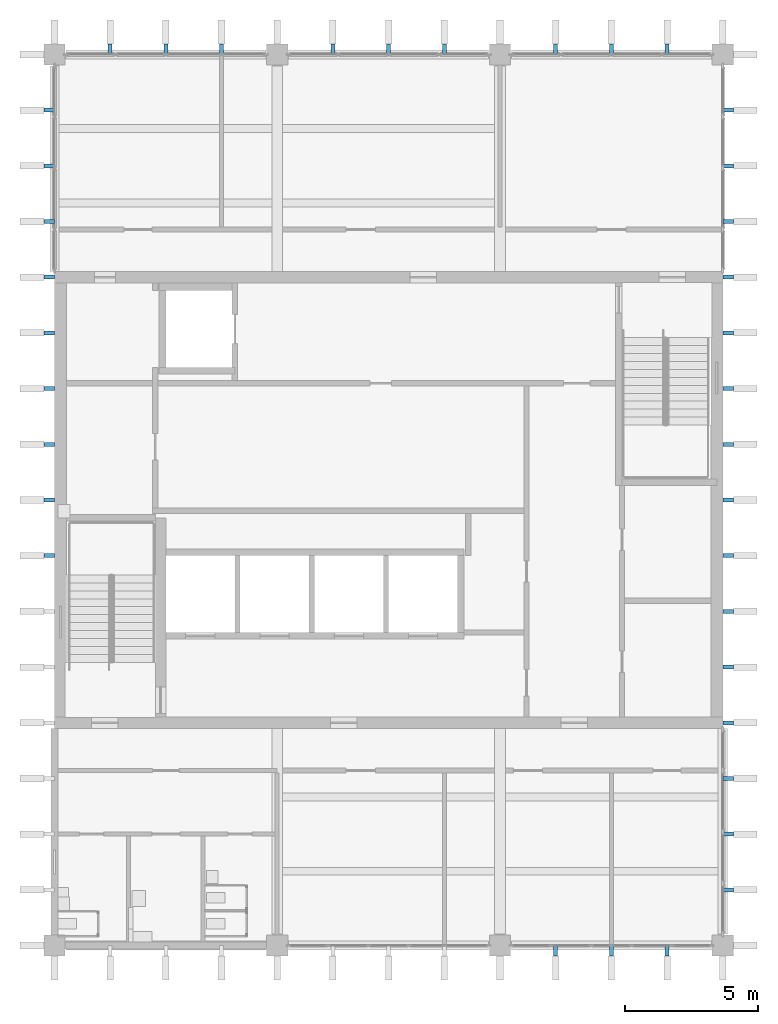
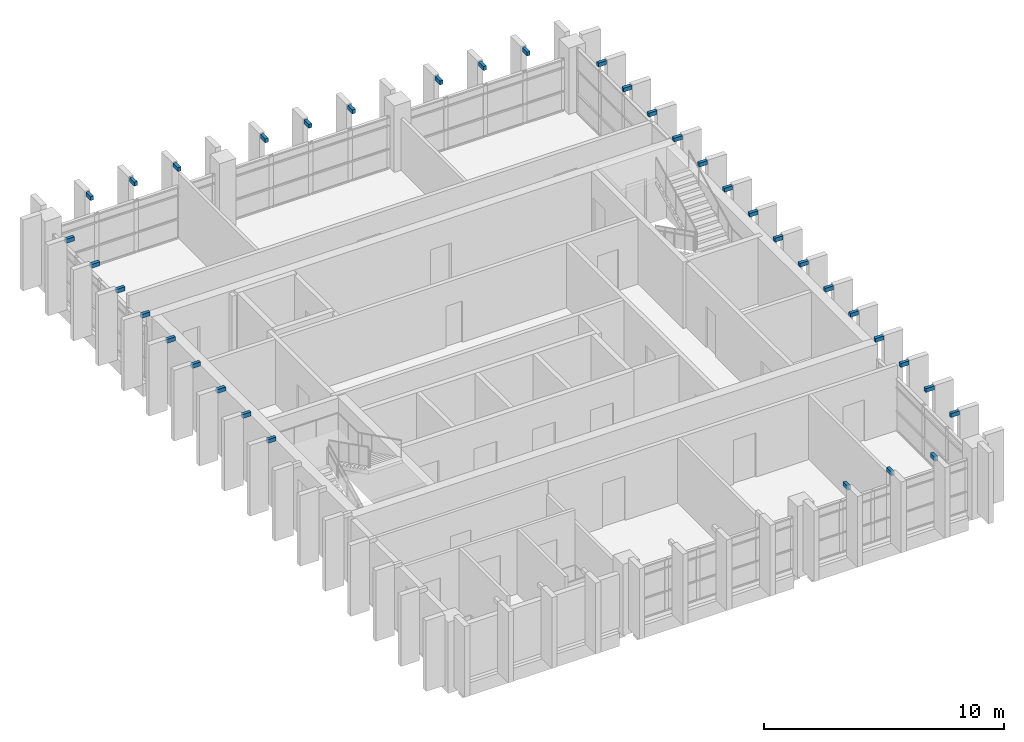
# One storey, part 9 of 11: 36 discrete accessories.
"""IFC4 building model written with IfcOpenShell, lengths in metres."""

from ifc_helpers import new_model, si_unit, direction, frame, origin, origin_2d, place, context, subcontext, project, spatial, rectangle, extrude, material, type_object, element, save


model = new_model("IFC4")

# Units and contexts
model_context = context("Model", 3, precision=1e-05, world=origin(), true_north=direction((0.0, 1.0)))
body_context = subcontext(model_context, "Body", "Model", "MODEL_VIEW")
ifc_project = project(units=[si_unit("LENGTHUNIT", "METRE"), si_unit("AREAUNIT", "SQUARE_METRE"), si_unit("VOLUMEUNIT", "CUBIC_METRE"), si_unit("PLANEANGLEUNIT", "RADIAN"), si_unit("MASSUNIT", "GRAM", prefix="KILO")], contexts=[model_context])

# Site, building, storey
site_placement = place(None, origin())
site = spatial("IfcSite", under=ifc_project, at=site_placement, CompositionType="ELEMENT")
building_placement = place(site_placement, origin())
building = spatial("IfcBuilding", under=site, at=building_placement, Name="Rulbaag Community and Learning Centre", CompositionType="ELEMENT")
storey_placement = place(building_placement, frame((0.0, 0.0, 36.0)))
storey = spatial("IfcBuildingStorey", under=building, at=storey_placement, Name="L09", CompositionType="ELEMENT", Elevation=36.0)

# Discrete accessories
ifc_material = material(Name="Steel E350", Category="steel")
discrete_accessory_type = type_object("IfcDiscreteAccessoryType", Name="BR-FN", PredefinedType="BRACKET", material=ifc_material)
for number, where, z_axis, x_axis, name in (
    (1, (161.699951171875, 83.800048828125, 3.35009765625), (0.0, 0.0, 1.0), (1.0, 0.0, 0.0), "Fin arm"),
    (2, (163.800048828125, 83.800048828125, 3.35009765625), (0.0, 0.0, 1.0), (1.0, 0.0, 0.0), "Fin arm"),
    (3, (165.89990234375, 83.800048828125, 3.35009765625), (0.0, 0.0, 1.0), (1.0, 0.0, 0.0), "Fin arm"),
    (4, (144.89990234375, 117.800048828125, 3.35009765625), (0.0, 0.0, 1.0), (1.0, 0.0, 0.0), "Fin arm"),
    (5, (147.0, 117.800048828125, 3.35009765625), (0.0, 0.0, 1.0), (1.0, 0.0, 0.0), "Fin arm"),
    (6, (149.10009765625, 117.800048828125, 3.35009765625), (0.0, 0.0, 1.0), (1.0, 0.0, 0.0), "Fin arm"),
    (7, (153.300048828125, 117.800048828125, 3.35009765625), (0.0, 0.0, 1.0), (1.0, 0.0, 0.0), "Fin arm"),
    (8, (155.39990234375, 117.800048828125, 3.35009765625), (0.0, 0.0, 1.0), (1.0, 0.0, 0.0), "Fin arm"),
    (9, (157.5, 117.800048828125, 3.35009765625), (0.0, 0.0, 1.0), (1.0, 0.0, 0.0), "Fin arm"),
    (10, (161.699951171875, 117.800048828125, 3.35009765625), (0.0, 0.0, 1.0), (1.0, 0.0, 0.0), "Fin arm"),
    (11, (163.800048828125, 117.800048828125, 3.35009765625), (0.0, 0.0, 1.0), (1.0, 0.0, 0.0), "Fin arm"),
    (12, (165.89990234375, 117.800048828125, 3.35009765625), (0.0, 0.0, 1.0), (1.0, 0.0, 0.0), "Fin arm"),
):
    element("IfcDiscreteAccessory", number, at=place(storey_placement, frame(where, z_axis=z_axis, x_axis=x_axis)), inside=storey, type_object=discrete_accessory_type, Name=name, PredefinedType="BRACKET", context=body_context, shape_type="SweptSolid", body=[
        extrude(rectangle(XDim=0.14990234375, YDim=0.39990234375, at=origin_2d()), origin(), (0.0, 0.0, 1.0), 0.199951171875),
    ])
for number, where, z_axis, x_axis, name in (
    (13, (142.60009765625, 98.699951171875, 3.35009765625), (0.0, 0.0, 1.0), (1.0, 0.0, 0.0), "Fin arm"),
    (14, (142.60009765625, 100.800048828125, 3.35009765625), (0.0, 0.0, 1.0), (1.0, 0.0, 0.0), "Fin arm"),
    (15, (142.60009765625, 102.89990234375, 3.35009765625), (0.0, 0.0, 1.0), (1.0, 0.0, 0.0), "Fin arm"),
    (16, (142.60009765625, 105.0, 3.35009765625), (0.0, 0.0, 1.0), (1.0, 0.0, 0.0), "Fin arm"),
    (17, (142.60009765625, 107.10009765625, 3.35009765625), (0.0, 0.0, 1.0), (1.0, 0.0, 0.0), "Fin arm"),
    (18, (142.60009765625, 109.199951171875, 3.35009765625), (0.0, 0.0, 1.0), (1.0, 0.0, 0.0), "Fin arm"),
    (19, (142.60009765625, 111.300048828125, 3.35009765625), (0.0, 0.0, 1.0), (1.0, 0.0, 0.0), "Fin arm"),
    (20, (142.60009765625, 113.39990234375, 3.35009765625), (0.0, 0.0, 1.0), (1.0, 0.0, 0.0), "Fin arm"),
    (21, (142.60009765625, 115.5, 3.35009765625), (0.0, 0.0, 1.0), (1.0, 0.0, 0.0), "Fin arm"),
    (22, (168.199951171875, 86.10009765625, 3.35009765625), (0.0, 0.0, 1.0), (1.0, 0.0, 0.0), "Fin arm"),
    (23, (168.199951171875, 88.199951171875, 3.35009765625), (0.0, 0.0, 1.0), (1.0, 0.0, 0.0), "Fin arm"),
    (24, (168.199951171875, 90.300048828125, 3.35009765625), (0.0, 0.0, 1.0), (1.0, 0.0, 0.0), "Fin arm"),
    (25, (168.199951171875, 92.39990234375, 3.35009765625), (0.0, 0.0, 1.0), (1.0, 0.0, 0.0), "Fin arm"),
    (26, (168.199951171875, 94.5, 3.35009765625), (0.0, 0.0, 1.0), (1.0, 0.0, 0.0), "Fin arm"),
    (27, (168.199951171875, 96.60009765625, 3.35009765625), (0.0, 0.0, 1.0), (1.0, 0.0, 0.0), "Fin arm"),
    (28, (168.199951171875, 98.699951171875, 3.35009765625), (0.0, 0.0, 1.0), (1.0, 0.0, 0.0), "Fin arm"),
    (29, (168.199951171875, 100.800048828125, 3.35009765625), (0.0, 0.0, 1.0), (1.0, 0.0, 0.0), "Fin arm"),
    (30, (168.199951171875, 102.89990234375, 3.35009765625), (0.0, 0.0, 1.0), (1.0, 0.0, 0.0), "Fin arm"),
    (31, (168.199951171875, 105.0, 3.35009765625), (0.0, 0.0, 1.0), (1.0, 0.0, 0.0), "Fin arm"),
    (32, (168.199951171875, 107.10009765625, 3.35009765625), (0.0, 0.0, 1.0), (1.0, 0.0, 0.0), "Fin arm"),
    (33, (168.199951171875, 109.199951171875, 3.35009765625), (0.0, 0.0, 1.0), (1.0, 0.0, 0.0), "Fin arm"),
    (34, (168.199951171875, 111.300048828125, 3.35009765625), (0.0, 0.0, 1.0), (1.0, 0.0, 0.0), "Fin arm"),
    (35, (168.199951171875, 113.39990234375, 3.35009765625), (0.0, 0.0, 1.0), (1.0, 0.0, 0.0), "Fin arm"),
    (36, (168.199951171875, 115.5, 3.35009765625), (0.0, 0.0, 1.0), (1.0, 0.0, 0.0), "Fin arm"),
):
    element("IfcDiscreteAccessory", number, at=place(storey_placement, frame(where, z_axis=z_axis, x_axis=x_axis)), inside=storey, type_object=discrete_accessory_type, Name=name, PredefinedType="BRACKET", context=body_context, shape_type="SweptSolid", body=[
        extrude(rectangle(XDim=0.39990234375, YDim=0.14990234375, at=origin_2d()), origin(), (0.0, 0.0, 1.0), 0.199951171875),
    ])

save(model, "model.ifc")
